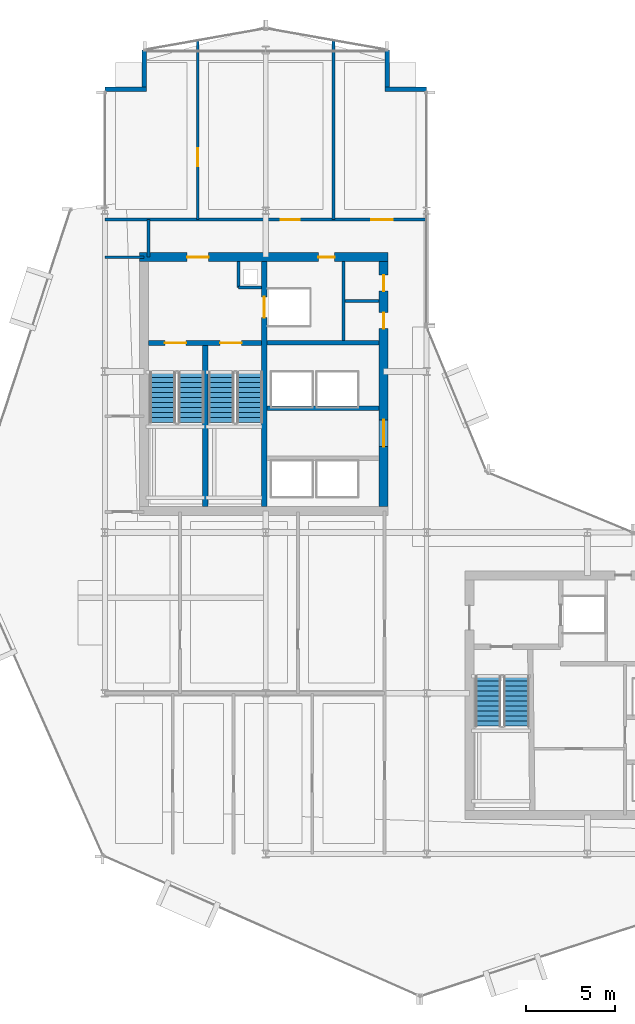
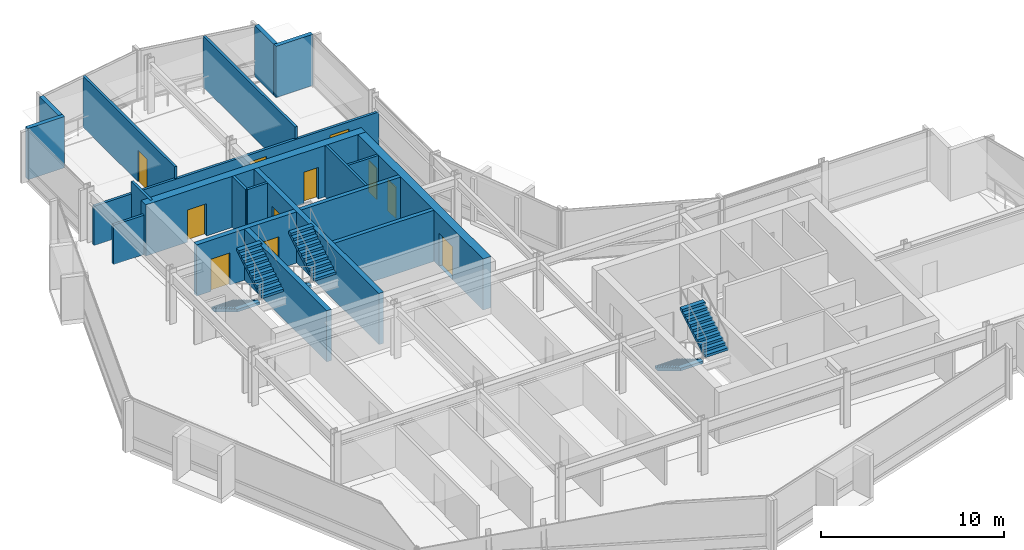
# One storey, part 23 of 28: 20 walls, 11 doors, 6 stair flights, 11 openings, 3 elements without a shape of their own.
"""IFC4 building model written with IfcOpenShell, lengths in metres."""

from ifc_helpers import new_model, si_unit, direction, frame, frame_2d, origin, place, context, subcontext, project, spatial, polyline, rectangle, outline, extrude, material, layer, layer_set, type_object, element, fill, aggregate, save


model = new_model("IFC4")

# Units and contexts
model_context = context("Model", 3, precision=1e-05, world=origin(), true_north=direction((0.0, 1.0)))
body_context = subcontext(model_context, "Body", "Model", "MODEL_VIEW")
ifc_project = project(units=[si_unit("LENGTHUNIT", "METRE"), si_unit("AREAUNIT", "SQUARE_METRE"), si_unit("VOLUMEUNIT", "CUBIC_METRE"), si_unit("PLANEANGLEUNIT", "RADIAN"), si_unit("MASSUNIT", "GRAM", prefix="KILO")], contexts=[model_context])

# Site, building, storey
site_placement = place(None, origin())
site = spatial("IfcSite", under=ifc_project, at=site_placement, CompositionType="ELEMENT")
building_placement = place(site_placement, origin())
building = spatial("IfcBuilding", under=site, at=building_placement, Name="Solvaryn Broadcast Tower", CompositionType="ELEMENT")
storey_placement = place(building_placement, frame((0.0, 0.0, 154.39990234375)))
storey = spatial("IfcBuildingStorey", under=building, at=storey_placement, Name="L38", CompositionType="ELEMENT", Elevation=154.39990234375)

# Wall, openings, doors
ifc_material_1 = material(Name="Concrete f'c 70 MPa", Category="concrete")
ifc_layer_1 = layer(ifc_material_1, 0.5)
ifc_layer_set_1 = layer_set([ifc_layer_1], Name="CW-SHEAR-500")
wall_type_1 = type_object("IfcWallType", Name="CW-SHEAR-500", PredefinedType="SHEAR", material=ifc_layer_set_1)
wall_1_placement = place(storey_placement, frame((24.85009765625, 42.39990234375, 0.0), z_axis=(0.0, 0.0, 1.0), x_axis=(-1.0, 0.0, 0.0)))
wall_1 = element("IfcWall", 1, at=wall_1_placement, inside=storey, type_object=wall_type_1, Name="L38 West Core North Shear Wall", PredefinedType="SHEAR", context=body_context, shape_type="SweptSolid", body=[
    extrude(rectangle(XDim=13.900146484375, YDim=0.5, at=frame_2d((6.9501953125, 0.0))), origin(), (0.0, 0.0, 1.0), 3.420166015625),
])
opening_1_placement = place(wall_1_placement, frame((10.050048828125, 0.0, 0.0)))
opening_1 = element("IfcOpeningElement", 2, at=opening_1_placement, cuts=wall_1, Name="Opening FD90A", PredefinedType="OPENING", context=body_context, shape_type="SweptSolid", body=[
    extrude(rectangle(XDim=1.199951171875, YDim=2.14990234375, at=frame_2d((0.60009765625, 1.074951171875))), frame((0.0, 0.260009765625, 0.0), z_axis=(0.0, -1.0, 0.0), x_axis=(1.0, 0.0, 0.0)), (0.0, 0.0, 1.0), 0.52001953125),
])
opening_2_placement = place(wall_1_placement, frame((3.0, 0.0, 0.0)))
opening_2 = element("IfcOpeningElement", 3, at=opening_2_placement, cuts=wall_1, Name="Opening FD60C", PredefinedType="OPENING", context=body_context, shape_type="SweptSolid", body=[
    extrude(rectangle(XDim=0.89990234375, YDim=2.10009765625, at=frame_2d((0.449951171875, 1.050048828125))), frame((0.0, 0.260009765625, 0.0), z_axis=(0.0, -1.0, 0.0), x_axis=(1.0, 0.0, 0.0)), (0.0, 0.0, 1.0), 0.52001953125),
])
ifc_material_2 = material(Name="Flush Acoustic Steel and Timber Door Assembly", Category="steel")
door_type_1 = type_object("IfcDoorType", Name="FD60-SERV-900X2100", OperationType="NOTDEFINED", PredefinedType="DOOR", material=ifc_material_2)
door_1_placement = place(opening_2_placement, origin())
door_1 = element("IfcDoor", 4, at=door_1_placement, inside=storey, type_object=door_type_1, Name="L38 West Core Fiber Riser Door", OperationType="SINGLE_SWING_RIGHT", OverallHeight=2.10009765625, OverallWidth=0.89990234375, PredefinedType="DOOR", context=body_context, shape_type="SweptSolid", body=[
    extrude(rectangle(XDim=0.89990234375, YDim=2.10009765625, at=frame_2d((0.449951171875, 1.050048828125))), frame((0.0, 0.02490234375, 0.0), z_axis=(0.0, -1.0, 0.0), x_axis=(1.0, 0.0, 0.0)), (0.0, 0.0, 1.0), 0.050048828125),
])
fill(opening_2, door_1)
ifc_material_3 = material(Name="Flush Acoustic Steel and Timber Door Assembly", Category="steel")
door_type_2 = type_object("IfcDoorType", Name="FD90-STAIR-1200X2150", OperationType="NOTDEFINED", PredefinedType="DOOR", material=ifc_material_3)
door_2_placement = place(opening_1_placement, origin())
door_2 = element("IfcDoor", 5, at=door_2_placement, inside=storey, type_object=door_type_2, Name="L38 West FSAE Lobby Corridor Door", OperationType="SINGLE_SWING_LEFT", OverallHeight=2.14990234375, OverallWidth=1.199951171875, PredefinedType="DOOR", context=body_context, shape_type="SweptSolid", body=[
    extrude(rectangle(XDim=1.199951171875, YDim=2.14990234375, at=frame_2d((0.60009765625, 1.074951171875))), frame((0.0, 0.02490234375, 0.0), z_axis=(0.0, -1.0, 0.0), x_axis=(1.0, 0.0, 0.0)), (0.0, 0.0, 1.0), 0.050048828125),
])
fill(opening_1, door_2)

wall_2_placement = place(storey_placement, frame((24.60009765625, 28.449951171875, 0.0), z_axis=(0.0, 0.0, 1.0), x_axis=(0.0, 1.0, 0.0)))
wall_2 = element("IfcWall", 6, at=wall_2_placement, inside=storey, type_object=wall_type_1, Name="L38 West Core East Shear Wall", PredefinedType="SHEAR", context=body_context, shape_type="SweptSolid", body=[
    extrude(rectangle(XDim=13.699951171875, YDim=0.5, at=frame_2d((6.85009765625, 0.0))), origin(), (0.0, 0.0, 1.0), 3.420166015625),
])
opening_3_placement = place(wall_2_placement, frame((3.35009765625, 0.0, 0.0)))
opening_3 = element("IfcOpeningElement", 7, at=opening_3_placement, cuts=wall_2, Name="Opening FD60A", PredefinedType="OPENING", context=body_context, shape_type="SweptSolid", body=[
    extrude(rectangle(XDim=1.5, YDim=2.199951171875, at=frame_2d((0.75, 1.10009765625))), frame((0.0, 0.260009765625, 0.0), z_axis=(0.0, -1.0, 0.0), x_axis=(1.0, 0.0, 0.0)), (0.0, 0.0, 1.0), 0.52001953125),
])
opening_4_placement = place(wall_2_placement, frame((9.949951171875, 0.0, 0.0)))
opening_4 = element("IfcOpeningElement", 8, at=opening_4_placement, cuts=wall_2, Name="Opening FD60C", PredefinedType="OPENING", context=body_context, shape_type="SweptSolid", body=[
    extrude(rectangle(XDim=0.89990234375, YDim=2.10009765625, at=frame_2d((0.449951171875, 1.050048828125))), frame((0.0, 0.260009765625, 0.0), z_axis=(0.0, -1.0, 0.0), x_axis=(1.0, 0.0, 0.0)), (0.0, 0.0, 1.0), 0.52001953125),
])
opening_5_placement = place(wall_2_placement, frame((12.050048828125, 0.0, 0.0)))
opening_5 = element("IfcOpeningElement", 9, at=opening_5_placement, cuts=wall_2, Name="Opening FD60C", PredefinedType="OPENING", context=body_context, shape_type="SweptSolid", body=[
    extrude(rectangle(XDim=0.89990234375, YDim=2.10009765625, at=frame_2d((0.449951171875, 1.050048828125))), frame((0.0, 0.260009765625, 0.0), z_axis=(0.0, -1.0, 0.0), x_axis=(1.0, 0.0, 0.0)), (0.0, 0.0, 1.0), 0.52001953125),
])
ifc_material_4 = material(Name="Flush Acoustic Steel and Timber Door Assembly", Category="steel")
door_type_3 = type_object("IfcDoorType", Name="FD60-CORR-1500X2200", OperationType="NOTDEFINED", PredefinedType="DOOR", material=ifc_material_4)
door_3_placement = place(opening_3_placement, origin())
door_3 = element("IfcDoor", 10, at=door_3_placement, inside=storey, type_object=door_type_3, Name="L38 West Elevator Lobby Corridor Door", OperationType="DOUBLE_DOOR_SINGLE_SWING", OverallHeight=2.199951171875, OverallWidth=1.5, PredefinedType="DOOR", context=body_context, shape_type="SweptSolid", body=[
    extrude(rectangle(XDim=1.5, YDim=2.199951171875, at=frame_2d((0.75, 1.10009765625))), frame((0.0, 0.02490234375, 0.0), z_axis=(0.0, -1.0, 0.0), x_axis=(1.0, 0.0, 0.0)), (0.0, 0.0, 1.0), 0.050048828125),
])
fill(opening_3, door_3)
door_4_placement = place(opening_4_placement, origin())
door_4 = element("IfcDoor", 11, at=door_4_placement, inside=storey, type_object=door_type_1, Name="L38 West Core Service Door 1", OperationType="SINGLE_SWING_LEFT", OverallHeight=2.10009765625, OverallWidth=0.89990234375, PredefinedType="DOOR", context=body_context, shape_type="SweptSolid", body=[
    extrude(rectangle(XDim=0.89990234375, YDim=2.10009765625, at=frame_2d((0.449951171875, 1.050048828125))), frame((0.0, 0.02490234375, 0.0), z_axis=(0.0, -1.0, 0.0), x_axis=(1.0, 0.0, 0.0)), (0.0, 0.0, 1.0), 0.050048828125),
])
fill(opening_4, door_4)
door_5_placement = place(opening_5_placement, origin())
door_5 = element("IfcDoor", 12, at=door_5_placement, inside=storey, type_object=door_type_1, Name="L38 West Core Janitor Door", OperationType="SINGLE_SWING_RIGHT", OverallHeight=2.10009765625, OverallWidth=0.89990234375, PredefinedType="DOOR", context=body_context, shape_type="SweptSolid", body=[
    extrude(rectangle(XDim=0.89990234375, YDim=2.10009765625, at=frame_2d((0.449951171875, 1.050048828125))), frame((0.0, 0.02490234375, 0.0), z_axis=(0.0, -1.0, 0.0), x_axis=(1.0, 0.0, 0.0)), (0.0, 0.0, 1.0), 0.050048828125),
])
fill(opening_5, door_5)

# Walls
ifc_material_5 = material(Name="Concrete f'c 50 MPa", Category="concrete")
ifc_layer_2 = layer(ifc_material_5, 0.260009765625)
ifc_layer_set_2 = layer_set([ifc_layer_2], Name="EW-PIER-260")
wall_type_2 = type_object("IfcWallType", Name="EW-PIER-260", PredefinedType="SOLIDWALL", material=ifc_layer_set_2)
wall_3_placement = place(storey_placement, frame((9.0, 51.800048828125, 0.0), z_axis=(0.0, 0.0, 1.0), x_axis=(1.0, 0.0, 0.0)))
element("IfcWall", 13, at=wall_3_placement, inside=storey, type_object=wall_type_2, Name="L38 Notched Corner Pier Wall NNW1", PredefinedType="SOLIDWALL", context=body_context, shape_type="SweptSolid", body=[
    extrude(rectangle(XDim=2.320068359375, YDim=0.260009765625, at=frame_2d((1.16015625, 0.0))), origin(), (0.0, 0.0, 1.0), 3.420166015625),
])
for number, where, z_axis, x_axis, name in (
    (14, (11.199951171875, 51.919921875, 0.0), (0.0, 0.0, 1.0), (0.0, 1.0, 0.0), "L38 Notched Corner Pier Wall NNW2"),
    (15, (24.800048828125, 54.0, 0.0), (0.0, 0.0, 1.0), (0.0, -1.0, 0.0), "L38 Notched Corner Pier Wall NNE1"),
):
    element("IfcWall", number, at=place(storey_placement, frame(where, z_axis=z_axis, x_axis=x_axis)), inside=storey, type_object=wall_type_2, Name=name, PredefinedType="SOLIDWALL", context=body_context, shape_type="SweptSolid", body=[
        extrude(rectangle(XDim=2.080078125, YDim=0.260009765625, at=frame_2d((1.0400390625, 0.0))), origin(), (0.0, 0.0, 1.0), 3.420166015625),
    ])
wall_4_placement = place(storey_placement, frame((24.679931640625, 51.800048828125, 0.0), z_axis=(0.0, 0.0, 1.0), x_axis=(1.0, 0.0, 0.0)))
element("IfcWall", 16, at=wall_4_placement, inside=storey, type_object=wall_type_2, Name="L38 Notched Corner Pier Wall NNE2", PredefinedType="SOLIDWALL", context=body_context, shape_type="SweptSolid", body=[
    extrude(rectangle(XDim=2.320068359375, YDim=0.260009765625, at=frame_2d((1.16015625, 0.0))), origin(), (0.0, 0.0, 1.0), 3.420166015625),
])
ifc_material_6 = material(Name="Metal-Stud Service Core Partition")
ifc_layer_3 = layer(ifc_material_6, 0.14990234375)
ifc_layer_set_3 = layer_set([ifc_layer_3], Name="IW-PART-150")
wall_type_3 = type_object("IfcWallType", Name="IW-PART-150", PredefinedType="PARTITIONING", material=ifc_layer_set_3)
wall_5_placement = place(storey_placement, frame((16.47998046875, 40.699951171875, 0.0), z_axis=(0.0, 0.0, 1.0), x_axis=(1.0, 0.0, 0.0)))
element("IfcWall", 17, at=wall_5_placement, inside=storey, type_object=wall_type_3, Name="L38 West Core Riser Shaft South Wall", PredefinedType="PARTITIONING", context=body_context, shape_type="SweptSolid", body=[
    extrude(rectangle(XDim=1.2900390625, YDim=0.14990234375, at=frame_2d((0.64501953125, 0.0))), origin(), (0.0, 0.0, 1.0), 3.420166015625),
])
wall_6_placement = place(storey_placement, frame((16.47998046875, 40.699951171875, 0.0), z_axis=(0.0, 0.0, 1.0), x_axis=(0.0, 1.0, 0.0)))
element("IfcWall", 18, at=wall_6_placement, inside=storey, type_object=wall_type_3, Name="L38 West Core Riser Shaft West Wall", PredefinedType="PARTITIONING", context=body_context, shape_type="SweptSolid", body=[
    extrude(rectangle(XDim=1.449951171875, YDim=0.14990234375, at=frame_2d((0.72509765625, 0.0))), origin(), (0.0, 0.0, 1.0), 3.420166015625),
])
wall_7_placement = place(storey_placement, frame((22.35009765625, 37.72998046875, 0.0), z_axis=(0.0, 0.0, 1.0), x_axis=(0.0, 1.0, 0.0)))
element("IfcWall", 19, at=wall_7_placement, inside=storey, type_object=wall_type_3, Name="L38 Interior Partition IW-L38-CWS-V", PredefinedType="PARTITIONING", context=body_context, shape_type="SweptSolid", body=[
    extrude(rectangle(XDim=4.419921875, YDim=0.14990234375, at=frame_2d((2.2099609375, 0.0))), origin(), (0.0, 0.0, 1.0), 3.420166015625),
])
wall_8_placement = place(storey_placement, frame((22.429931640625, 39.949951171875, 0.0), z_axis=(0.0, 0.0, 1.0), x_axis=(1.0, 0.0, 0.0)))
element("IfcWall", 20, at=wall_8_placement, inside=storey, type_object=wall_type_3, Name="L38 Interior Partition IW-L38-CWS-H", PredefinedType="PARTITIONING", context=body_context, shape_type="SweptSolid", body=[
    extrude(rectangle(XDim=1.920166015625, YDim=0.14990234375, at=frame_2d((0.9599609375, 0.0))), origin(), (0.0, 0.0, 1.0), 3.420166015625),
])
ifc_material_7 = material(Name="Metal-Stud Gypsum Office Partition")
ifc_layer_4 = layer(ifc_material_7, 0.159912109375)
ifc_layer_set_4 = layer_set([ifc_layer_4], Name="IW-PART-160")
wall_type_4 = type_object("IfcWallType", Name="IW-PART-160", PredefinedType="PARTITIONING", material=ifc_layer_set_4)
wall_9_placement = place(storey_placement, frame((9.0, 42.39990234375, 0.0), z_axis=(0.0, 0.0, 1.0), x_axis=(1.0, 0.0, 0.0)))
element("IfcWall", 21, at=wall_9_placement, inside=storey, type_object=wall_type_4, Name="L38 Interior Partition IW-L38-WM-N", PredefinedType="PARTITIONING", context=body_context, shape_type="SweptSolid", body=[
    extrude(rectangle(XDim=2.199951171875, YDim=0.159912109375, at=frame_2d((1.10009765625, 0.0))), origin(), (0.0, 0.0, 1.0), 2.634033203125),
])
wall_10_placement = place(storey_placement, frame((11.449951171875, 42.39990234375, 0.0), z_axis=(0.0, 0.0, 1.0), x_axis=(0.0, 1.0, 0.0)))
element("IfcWall", 22, at=wall_10_placement, inside=storey, type_object=wall_type_4, Name="L38 Interior Partition IW-L38-WM-E", PredefinedType="PARTITIONING", context=body_context, shape_type="SweptSolid", body=[
    extrude(rectangle(XDim=2.10009765625, YDim=0.159912109375, at=frame_2d((1.050048828125, 0.0))), origin(), (0.0, 0.0, 1.0), 3.420166015625),
])

# Wall, openings, doors
wall_11_placement = place(storey_placement, frame((9.0, 44.5, 0.0), z_axis=(0.0, 0.0, 1.0), x_axis=(1.0, 0.0, 0.0)))
wall_11 = element("IfcWall", 23, at=wall_11_placement, inside=storey, type_object=wall_type_4, Name="L38 Interior Partition IW-L38-NW-SB", PredefinedType="PARTITIONING", context=body_context, shape_type="SweptSolid", body=[
    extrude(rectangle(XDim=18.0, YDim=0.159912109375, at=frame_2d((9.0, 0.0))), origin(), (0.0, 0.0, 1.0), 2.634033203125),
])
opening_6_placement = place(wall_11_placement, frame((9.85009765625, 0.0, 0.0)))
opening_6 = element("IfcOpeningElement", 24, at=opening_6_placement, cuts=wall_11, Name="Opening ID03", PredefinedType="OPENING", context=body_context, shape_type="SweptSolid", body=[
    extrude(rectangle(XDim=1.050048828125, YDim=2.14990234375, at=frame_2d((0.52490234375, 1.074951171875))), frame((0.0, 0.090087890625, 0.0), z_axis=(0.0, -1.0, 0.0), x_axis=(1.0, 0.0, 0.0)), (0.0, 0.0, 1.0), 0.179931640625),
])
opening_7_placement = place(wall_11_placement, frame((14.89990234375, 0.0, 0.0)))
opening_7 = element("IfcOpeningElement", 25, at=opening_7_placement, cuts=wall_11, Name="Opening ID04", PredefinedType="OPENING", context=body_context, shape_type="SweptSolid", body=[
    extrude(rectangle(XDim=1.199951171875, YDim=2.14990234375, at=frame_2d((0.60009765625, 1.074951171875))), frame((0.0, 0.090087890625, 0.0), z_axis=(0.0, -1.0, 0.0), x_axis=(1.0, 0.0, 0.0)), (0.0, 0.0, 1.0), 0.179931640625),
])
ifc_material_8 = material(Name="Flush Acoustic Steel and Timber Door Assembly", Category="steel")
door_type_4 = type_object("IfcDoorType", Name="ID-03-1050X2150", OperationType="NOTDEFINED", PredefinedType="DOOR", material=ifc_material_8)
door_6_placement = place(opening_6_placement, origin())
door_6 = element("IfcDoor", 26, at=door_6_placement, inside=storey, type_object=door_type_4, Name="L38 Door DR-L38-NW-2", OperationType="SINGLE_SWING_RIGHT", OverallHeight=2.14990234375, OverallWidth=1.050048828125, PredefinedType="DOOR", context=body_context, shape_type="SweptSolid", body=[
    extrude(rectangle(XDim=1.050048828125, YDim=2.14990234375, at=frame_2d((0.52490234375, 1.074951171875))), frame((0.0, 0.02490234375, 0.0), z_axis=(0.0, -1.0, 0.0), x_axis=(1.0, 0.0, 0.0)), (0.0, 0.0, 1.0), 0.050048828125),
])
fill(opening_6, door_6)
ifc_material_9 = material(Name="Flush Acoustic Steel and Timber Door Assembly", Category="steel")
door_type_5 = type_object("IfcDoorType", Name="ID-04-1200X2150", OperationType="NOTDEFINED", PredefinedType="DOOR", material=ifc_material_9)
door_7_placement = place(opening_7_placement, origin())
door_7 = element("IfcDoor", 27, at=door_7_placement, inside=storey, type_object=door_type_5, Name="L38 Door DR-L38-NW-3", OperationType="SINGLE_SWING_LEFT", OverallHeight=2.14990234375, OverallWidth=1.199951171875, PredefinedType="DOOR", context=body_context, shape_type="SweptSolid", body=[
    extrude(rectangle(XDim=1.199951171875, YDim=2.14990234375, at=frame_2d((0.60009765625, 1.074951171875))), frame((0.0, 0.02490234375, 0.0), z_axis=(0.0, -1.0, 0.0), x_axis=(1.0, 0.0, 0.0)), (0.0, 0.0, 1.0), 0.050048828125),
])
fill(opening_7, door_7)

# Wall, opening, door
wall_12_placement = place(storey_placement, frame((14.199951171875, 44.5, 0.0), z_axis=(0.0, 0.0, 1.0), x_axis=(0.0, 1.0, 0.0)))
wall_12 = element("IfcWall", 28, at=wall_12_placement, inside=storey, type_object=wall_type_4, Name="L38 Interior Partition IW-L38-NW-V1", PredefinedType="PARTITIONING", context=body_context, shape_type="SweptSolid", body=[
    extrude(rectangle(XDim=10.029052734375, YDim=0.159912109375, at=frame_2d((5.0146484375, 0.0))), origin(), (0.0, 0.0, 1.0), 3.420166015625),
])
opening_8_placement = place(wall_12_placement, frame((3.0, 0.0, 0.0)))
opening_8 = element("IfcOpeningElement", 29, at=opening_8_placement, cuts=wall_12, Name="Opening ID02", PredefinedType="OPENING", context=body_context, shape_type="SweptSolid", body=[
    extrude(rectangle(XDim=1.0, YDim=2.10009765625, at=frame_2d((0.5, 1.050048828125))), frame((0.0, 0.090087890625, 0.0), z_axis=(0.0, -1.0, 0.0), x_axis=(1.0, 0.0, 0.0)), (0.0, 0.0, 1.0), 0.179931640625),
])
ifc_material_10 = material(Name="Flush Acoustic Steel and Timber Door Assembly", Category="steel")
door_type_6 = type_object("IfcDoorType", Name="ID-02-1000X2100", OperationType="NOTDEFINED", PredefinedType="DOOR", material=ifc_material_10)
door_8_placement = place(opening_8_placement, origin())
door_8 = element("IfcDoor", 30, at=door_8_placement, inside=storey, type_object=door_type_6, Name="L38 Door DR-L38-NW-C1", OperationType="SINGLE_SWING_LEFT", OverallHeight=2.10009765625, OverallWidth=1.0, PredefinedType="DOOR", context=body_context, shape_type="SweptSolid", body=[
    extrude(rectangle(XDim=1.0, YDim=2.10009765625, at=frame_2d((0.5, 1.050048828125))), frame((0.0, 0.02490234375, 0.0), z_axis=(0.0, -1.0, 0.0), x_axis=(1.0, 0.0, 0.0)), (0.0, 0.0, 1.0), 0.050048828125),
])
fill(opening_8, door_8)

# Walls
wall_13_placement = place(storey_placement, frame((21.800048828125, 44.5, 0.0), z_axis=(0.0, 0.0, 1.0), x_axis=(0.0, 1.0, 0.0)))
element("IfcWall", 31, at=wall_13_placement, inside=storey, type_object=wall_type_4, Name="L38 Interior Partition IW-L38-NW-V2", PredefinedType="PARTITIONING", context=body_context, shape_type="SweptSolid", body=[
    extrude(rectangle(XDim=10.029052734375, YDim=0.159912109375, at=frame_2d((5.0146484375, 0.0))), origin(), (0.0, 0.0, 1.0), 3.420166015625),
])
ifc_material_11 = material(Name="Concrete f'c 60 MPa", Category="concrete")
ifc_layer_5 = layer(ifc_material_11, 0.25)
ifc_layer_set_5 = layer_set([ifc_layer_5], Name="SW-SHAFT-250")
wall_type_5 = type_object("IfcWallType", Name="SW-SHAFT-250", PredefinedType="PARTITIONING", material=ifc_layer_set_5)
for number, where, z_axis, x_axis, name in (
    (32, (18.070068359375, 37.60009765625, 0.0), (0.0, 0.0, 1.0), (1.0, 0.0, 0.0), "L38 West Core FSAE Hoistway Front Wall"),
    (33, (24.35009765625, 33.949951171875, 0.0), (0.0, 0.0, 1.0), (-1.0, 0.0, 0.0), "L38 High-Rise Lift Bank North Wall"),
):
    element("IfcWall", number, at=place(storey_placement, frame(where, z_axis=z_axis, x_axis=x_axis)), inside=storey, type_object=wall_type_5, Name=name, PredefinedType="PARTITIONING", context=body_context, shape_type="SweptSolid", body=[
        extrude(rectangle(XDim=6.280029296875, YDim=0.25, at=frame_2d((3.14013671875, 0.0))), origin(), (0.0, 0.0, 1.0), 3.420166015625),
    ])
ifc_material_12 = material(Name="Concrete f'c 70 MPa", Category="concrete")
ifc_layer_6 = layer(ifc_material_12, 0.300048828125)
ifc_layer_set_6 = layer_set([ifc_layer_6], Name="SW-SHAFT-300")
wall_type_6 = type_object("IfcWallType", Name="SW-SHAFT-300", PredefinedType="SHEAR", material=ifc_layer_set_6)
wall_14_placement = place(storey_placement, frame((14.6201171875, 28.449951171875, 0.0), z_axis=(0.0, 0.0, 1.0), x_axis=(0.0, 1.0, 0.0)))
element("IfcWall", 34, at=wall_14_placement, inside=storey, type_object=wall_type_6, Name="L38 Stair 1-2 Dividing Wall", PredefinedType="SHEAR", context=body_context, shape_type="SweptSolid", body=[
    extrude(rectangle(XDim=9.0, YDim=0.300048828125, at=frame_2d((4.5, 0.0))), origin(), (0.0, 0.0, 1.0), 3.420166015625),
])

# Wall, opening, door
wall_15_placement = place(storey_placement, frame((17.919921875, 42.14990234375, 0.0), z_axis=(0.0, 0.0, 1.0), x_axis=(0.0, -1.0, 0.0)))
wall_15 = element("IfcWall", 35, at=wall_15_placement, inside=storey, type_object=wall_type_6, Name="L38 West Core Stair-Lobby Shear Wall", PredefinedType="SHEAR", context=body_context, shape_type="SweptSolid", body=[
    extrude(rectangle(XDim=13.699951171875, YDim=0.300048828125, at=frame_2d((6.85009765625, 0.0))), origin(), (0.0, 0.0, 1.0), 3.420166015625),
])
opening_9_placement = place(wall_15_placement, frame((1.97509765625, 0.0, 0.0)))
opening_9 = element("IfcOpeningElement", 36, at=opening_9_placement, cuts=wall_15, Name="Opening LD01", PredefinedType="OPENING", context=body_context, shape_type="SweptSolid", body=[
    extrude(rectangle(XDim=1.14990234375, YDim=2.14990234375, at=frame_2d((0.574951171875, 1.074951171875))), frame((0.0, 0.159912109375, 0.0), z_axis=(0.0, -1.0, 0.0), x_axis=(1.0, 0.0, 0.0)), (0.0, 0.0, 1.0), 0.320068359375),
])
ifc_material_13 = material(Name="Flush Acoustic Steel and Timber Door Assembly", Category="steel")
door_type_7 = type_object("IfcDoorType", Name="LD-LIFT-1150X2150", OperationType="NOTDEFINED", PredefinedType="DOOR", material=ifc_material_13)
door_9_placement = place(opening_9_placement, origin())
door_9 = element("IfcDoor", 37, at=door_9_placement, inside=storey, type_object=door_type_7, Name="L38 FL1 Lift Landing Door", OperationType="DOUBLE_DOOR_SLIDING", OverallHeight=2.14990234375, OverallWidth=1.14990234375, PredefinedType="DOOR", context=body_context, shape_type="SweptSolid", body=[
    extrude(rectangle(XDim=1.14990234375, YDim=2.14990234375, at=frame_2d((0.574951171875, 1.074951171875))), frame((0.0, 0.02490234375, 0.0), z_axis=(0.0, -1.0, 0.0), x_axis=(1.0, 0.0, 0.0)), (0.0, 0.0, 1.0), 0.050048828125),
])
fill(opening_9, door_9)

# Wall, openings, doors
wall_16_placement = place(storey_placement, frame((17.77001953125, 37.60009765625, 0.0), z_axis=(0.0, 0.0, 1.0), x_axis=(-1.0, 0.0, 0.0)))
wall_16 = element("IfcWall", 38, at=wall_16_placement, inside=storey, type_object=wall_type_6, Name="L38 West Core FSAE Lobby South Wall", PredefinedType="SHEAR", context=body_context, shape_type="SweptSolid", body=[
    extrude(rectangle(XDim=6.320068359375, YDim=0.300048828125, at=frame_2d((3.16015625, 0.0))), origin(), (0.0, 0.0, 1.0), 3.420166015625),
])
opening_10_placement = place(wall_16_placement, frame((4.219970703125, 0.0, 0.0)))
opening_10 = element("IfcOpeningElement", 39, at=opening_10_placement, cuts=wall_16, Name="Opening FD90A", PredefinedType="OPENING", context=body_context, shape_type="SweptSolid", body=[
    extrude(rectangle(XDim=1.199951171875, YDim=2.14990234375, at=frame_2d((0.60009765625, 1.074951171875))), frame((0.0, 0.159912109375, 0.0), z_axis=(0.0, -1.0, 0.0), x_axis=(1.0, 0.0, 0.0)), (0.0, 0.0, 1.0), 0.320068359375),
])
opening_11_placement = place(wall_16_placement, frame((1.1201171875, 0.0, 0.0)))
opening_11 = element("IfcOpeningElement", 40, at=opening_11_placement, cuts=wall_16, Name="Opening FD90A", PredefinedType="OPENING", context=body_context, shape_type="SweptSolid", body=[
    extrude(rectangle(XDim=1.199951171875, YDim=2.14990234375, at=frame_2d((0.60009765625, 1.074951171875))), frame((0.0, 0.159912109375, 0.0), z_axis=(0.0, -1.0, 0.0), x_axis=(1.0, 0.0, 0.0)), (0.0, 0.0, 1.0), 0.320068359375),
])
door_10_placement = place(opening_10_placement, origin())
door_10 = element("IfcDoor", 41, at=door_10_placement, inside=storey, type_object=door_type_2, Name="L38 Stair 1 Fire Door", OperationType="SINGLE_SWING_LEFT", OverallHeight=2.14990234375, OverallWidth=1.199951171875, PredefinedType="DOOR", context=body_context, shape_type="SweptSolid", body=[
    extrude(rectangle(XDim=1.199951171875, YDim=2.14990234375, at=frame_2d((0.60009765625, 1.074951171875))), frame((0.0, 0.02490234375, 0.0), z_axis=(0.0, -1.0, 0.0), x_axis=(1.0, 0.0, 0.0)), (0.0, 0.0, 1.0), 0.050048828125),
])
fill(opening_10, door_10)
door_11_placement = place(opening_11_placement, origin())
door_11 = element("IfcDoor", 42, at=door_11_placement, inside=storey, type_object=door_type_2, Name="L38 Stair 2 Fire Door", OperationType="SINGLE_SWING_RIGHT", OverallHeight=2.14990234375, OverallWidth=1.199951171875, PredefinedType="DOOR", context=body_context, shape_type="SweptSolid", body=[
    extrude(rectangle(XDim=1.199951171875, YDim=2.14990234375, at=frame_2d((0.60009765625, 1.074951171875))), frame((0.0, 0.02490234375, 0.0), z_axis=(0.0, -1.0, 0.0), x_axis=(1.0, 0.0, 0.0)), (0.0, 0.0, 1.0), 0.050048828125),
])
fill(opening_11, door_11)

# Stair, stair flights
ifc_material_14 = material(Name="Concrete f'c 60 MPa", Category="concrete")
stair_type = type_object("IfcStairType", Name="ST-CORE", PredefinedType="HALF_TURN_STAIR", material=ifc_material_14)
stair_1_placement = place(storey_placement, origin())
stair_1 = element("IfcStair", 43, at=stair_1_placement, inside=storey, type_object=stair_type, Name="L38 ST1", PredefinedType="HALF_TURN_STAIR")
ifc_material_15 = material(Name="Concrete f'c 60 MPa", Category="concrete")
ifc_layer_7 = layer(ifc_material_15, 0.159912109375)
ifc_layer_set_7 = layer_set([ifc_layer_7], Name="SF-CORE")
stair_flight_type = type_object("IfcStairFlightType", Name="SF-CORE", PredefinedType="STRAIGHT", material=ifc_layer_set_7)
stair_flight_1_placement = place(storey_placement, frame((12.239990234375, 35.9599609375, 0.0), z_axis=(0.0, 0.0, 1.0), x_axis=(0.0, -1.0, 0.0)))
stair_flight_1 = element("IfcStairFlight", 44, at=stair_flight_1_placement, type_object=stair_flight_type, Name="ST1 flight 1", NumberOfRisers=11, NumberOfTreads=10, PredefinedType="STRAIGHT", RiserHeight=0.168181818, TreadLength=0.28, context=body_context, shape_type="SweptSolid", body=[
    extrude(outline(polyline([(0.0, 0.0), (0.0, 0.168212890625), (0.280029296875, 0.168212890625), (0.280029296875, 0.33642578125), (0.56005859375, 0.33642578125), (0.56005859375, 0.504638671875), (0.840087890625, 0.504638671875), (0.840087890625, 0.672607421875), (1.1201171875, 0.672607421875), (1.1201171875, 0.8408203125), (1.39990234375, 0.8408203125), (1.39990234375, 1.009033203125), (1.679931640625, 1.009033203125), (1.679931640625, 1.17724609375), (1.9599609375, 1.17724609375), (1.9599609375, 1.345458984375), (2.239990234375, 1.345458984375), (2.239990234375, 1.513671875), (2.52001953125, 1.513671875), (2.52001953125, 1.681884765625), (2.800048828125, 1.681884765625), (2.800048828125, 1.85009765625), (2.800048828125, 1.5068359375), (0.291015625, 0.0), (0.0, 0.0)])), frame((0.0, 0.719970703125, 0.0), z_axis=(0.0, -1.0, 0.0), x_axis=(1.0, 0.0, 0.0)), (0.0, 0.0, 1.0), 1.43994140625),
])
stair_flight_2_placement = place(storey_placement, frame((13.830078125, 33.159912109375, 1.85009765625), z_axis=(0.0, 0.0, 1.0), x_axis=(0.0, 1.0, 0.0)))
stair_flight_2 = element("IfcStairFlight", 45, at=stair_flight_2_placement, type_object=stair_flight_type, Name="ST1 flight 2", NumberOfRisers=11, NumberOfTreads=10, PredefinedType="STRAIGHT", RiserHeight=0.168181818, TreadLength=0.28, context=body_context, shape_type="SweptSolid", body=[
    extrude(outline(polyline([(0.0, 0.0), (0.0, 0.168212890625), (0.280029296875, 0.168212890625), (0.280029296875, 0.33642578125), (0.56005859375, 0.33642578125), (0.56005859375, 0.504638671875), (0.840087890625, 0.504638671875), (0.840087890625, 0.672607421875), (1.1201171875, 0.672607421875), (1.1201171875, 0.8408203125), (1.39990234375, 0.8408203125), (1.39990234375, 1.009033203125), (1.679931640625, 1.009033203125), (1.679931640625, 1.17724609375), (1.9599609375, 1.17724609375), (1.9599609375, 1.345458984375), (2.239990234375, 1.345458984375), (2.239990234375, 1.513671875), (2.52001953125, 1.513671875), (2.52001953125, 1.681884765625), (2.800048828125, 1.681884765625), (2.800048828125, 1.85009765625), (2.800048828125, 1.5068359375), (0.291015625, 0.0), (0.0, 0.0)])), frame((0.0, 0.719970703125, 0.0), z_axis=(0.0, -1.0, 0.0), x_axis=(1.0, 0.0, 0.0)), (0.0, 0.0, 1.0), 1.43994140625),
])
aggregate(stair_1, [stair_flight_1, stair_flight_2])

stair_2_placement = place(storey_placement, origin())
stair_2 = element("IfcStair", 46, at=stair_2_placement, inside=storey, type_object=stair_type, Name="L38 ST2", PredefinedType="HALF_TURN_STAIR")
stair_flight_3_placement = place(storey_placement, frame((15.52001953125, 35.9599609375, 0.0), z_axis=(0.0, 0.0, 1.0), x_axis=(0.0, -1.0, 0.0)))
stair_flight_3 = element("IfcStairFlight", 47, at=stair_flight_3_placement, type_object=stair_flight_type, Name="ST2 flight 1", NumberOfRisers=11, NumberOfTreads=10, PredefinedType="STRAIGHT", RiserHeight=0.168181818, TreadLength=0.28, context=body_context, shape_type="SweptSolid", body=[
    extrude(outline(polyline([(0.0, 0.0), (0.0, 0.168212890625), (0.280029296875, 0.168212890625), (0.280029296875, 0.33642578125), (0.56005859375, 0.33642578125), (0.56005859375, 0.504638671875), (0.840087890625, 0.504638671875), (0.840087890625, 0.672607421875), (1.1201171875, 0.672607421875), (1.1201171875, 0.8408203125), (1.39990234375, 0.8408203125), (1.39990234375, 1.009033203125), (1.679931640625, 1.009033203125), (1.679931640625, 1.17724609375), (1.9599609375, 1.17724609375), (1.9599609375, 1.345458984375), (2.239990234375, 1.345458984375), (2.239990234375, 1.513671875), (2.52001953125, 1.513671875), (2.52001953125, 1.681884765625), (2.800048828125, 1.681884765625), (2.800048828125, 1.85009765625), (2.800048828125, 1.5068359375), (0.291015625, 0.0), (0.0, 0.0)])), frame((0.0, 0.719970703125, 0.0), z_axis=(0.0, -1.0, 0.0), x_axis=(1.0, 0.0, 0.0)), (0.0, 0.0, 1.0), 1.43994140625),
])
stair_flight_4_placement = place(storey_placement, frame((17.110107421875, 33.159912109375, 1.85009765625), z_axis=(0.0, 0.0, 1.0), x_axis=(0.0, 1.0, 0.0)))
stair_flight_4 = element("IfcStairFlight", 48, at=stair_flight_4_placement, type_object=stair_flight_type, Name="ST2 flight 2", NumberOfRisers=11, NumberOfTreads=10, PredefinedType="STRAIGHT", RiserHeight=0.168181818, TreadLength=0.28, context=body_context, shape_type="SweptSolid", body=[
    extrude(outline(polyline([(0.0, 0.0), (0.0, 0.168212890625), (0.280029296875, 0.168212890625), (0.280029296875, 0.33642578125), (0.56005859375, 0.33642578125), (0.56005859375, 0.504638671875), (0.840087890625, 0.504638671875), (0.840087890625, 0.672607421875), (1.1201171875, 0.672607421875), (1.1201171875, 0.8408203125), (1.39990234375, 0.8408203125), (1.39990234375, 1.009033203125), (1.679931640625, 1.009033203125), (1.679931640625, 1.17724609375), (1.9599609375, 1.17724609375), (1.9599609375, 1.345458984375), (2.239990234375, 1.345458984375), (2.239990234375, 1.513671875), (2.52001953125, 1.513671875), (2.52001953125, 1.681884765625), (2.800048828125, 1.681884765625), (2.800048828125, 1.85009765625), (2.800048828125, 1.5068359375), (0.291015625, 0.0), (0.0, 0.0)])), frame((0.0, 0.719970703125, 0.0), z_axis=(0.0, -1.0, 0.0), x_axis=(1.0, 0.0, 0.0)), (0.0, 0.0, 1.0), 1.43994140625),
])
aggregate(stair_2, [stair_flight_3, stair_flight_4])

stair_3_placement = place(storey_placement, origin())
stair_3 = element("IfcStair", 49, at=stair_3_placement, inside=storey, type_object=stair_type, Name="L38 ST3", PredefinedType="HALF_TURN_STAIR")
stair_flight_5_placement = place(storey_placement, frame((30.43994140625, 18.9599609375, 0.0), z_axis=(0.0, 0.0, 1.0), x_axis=(0.0, -1.0, 0.0)))
stair_flight_5 = element("IfcStairFlight", 50, at=stair_flight_5_placement, type_object=stair_flight_type, Name="ST3 flight 1", NumberOfRisers=11, NumberOfTreads=10, PredefinedType="STRAIGHT", RiserHeight=0.168181818, TreadLength=0.28, context=body_context, shape_type="SweptSolid", body=[
    extrude(outline(polyline([(0.0, 0.0), (0.0, 0.168212890625), (0.280029296875, 0.168212890625), (0.280029296875, 0.33642578125), (0.56005859375, 0.33642578125), (0.56005859375, 0.504638671875), (0.840087890625, 0.504638671875), (0.840087890625, 0.672607421875), (1.1201171875, 0.672607421875), (1.1201171875, 0.8408203125), (1.39990234375, 0.8408203125), (1.39990234375, 1.009033203125), (1.679931640625, 1.009033203125), (1.679931640625, 1.17724609375), (1.9599609375, 1.17724609375), (1.9599609375, 1.345458984375), (2.239990234375, 1.345458984375), (2.239990234375, 1.513671875), (2.52001953125, 1.513671875), (2.52001953125, 1.681884765625), (2.800048828125, 1.681884765625), (2.800048828125, 1.85009765625), (2.800048828125, 1.5068359375), (0.291015625, 0.0), (0.0, 0.0)])), frame((0.0, 0.719970703125, 0.0), z_axis=(0.0, -1.0, 0.0), x_axis=(1.0, 0.0, 0.0)), (0.0, 0.0, 1.0), 1.43994140625),
])
stair_flight_6_placement = place(storey_placement, frame((32.030029296875, 16.159912109375, 1.85009765625), z_axis=(0.0, 0.0, 1.0), x_axis=(0.0, 1.0, 0.0)))
stair_flight_6 = element("IfcStairFlight", 51, at=stair_flight_6_placement, type_object=stair_flight_type, Name="ST3 flight 2", NumberOfRisers=11, NumberOfTreads=10, PredefinedType="STRAIGHT", RiserHeight=0.168181818, TreadLength=0.28, context=body_context, shape_type="SweptSolid", body=[
    extrude(outline(polyline([(0.0, 0.0), (0.0, 0.168212890625), (0.280029296875, 0.168212890625), (0.280029296875, 0.33642578125), (0.56005859375, 0.33642578125), (0.56005859375, 0.504638671875), (0.840087890625, 0.504638671875), (0.840087890625, 0.672607421875), (1.1201171875, 0.672607421875), (1.1201171875, 0.8408203125), (1.39990234375, 0.8408203125), (1.39990234375, 1.009033203125), (1.679931640625, 1.009033203125), (1.679931640625, 1.17724609375), (1.9599609375, 1.17724609375), (1.9599609375, 1.345458984375), (2.239990234375, 1.345458984375), (2.239990234375, 1.513671875), (2.52001953125, 1.513671875), (2.52001953125, 1.681884765625), (2.800048828125, 1.681884765625), (2.800048828125, 1.85009765625), (2.800048828125, 1.5068359375), (0.291015625, 0.0), (0.0, 0.0)])), frame((0.0, 0.719970703125, 0.0), z_axis=(0.0, -1.0, 0.0), x_axis=(1.0, 0.0, 0.0)), (0.0, 0.0, 1.0), 1.43994140625),
])
aggregate(stair_3, [stair_flight_5, stair_flight_6])

save(model, "model.ifc")
